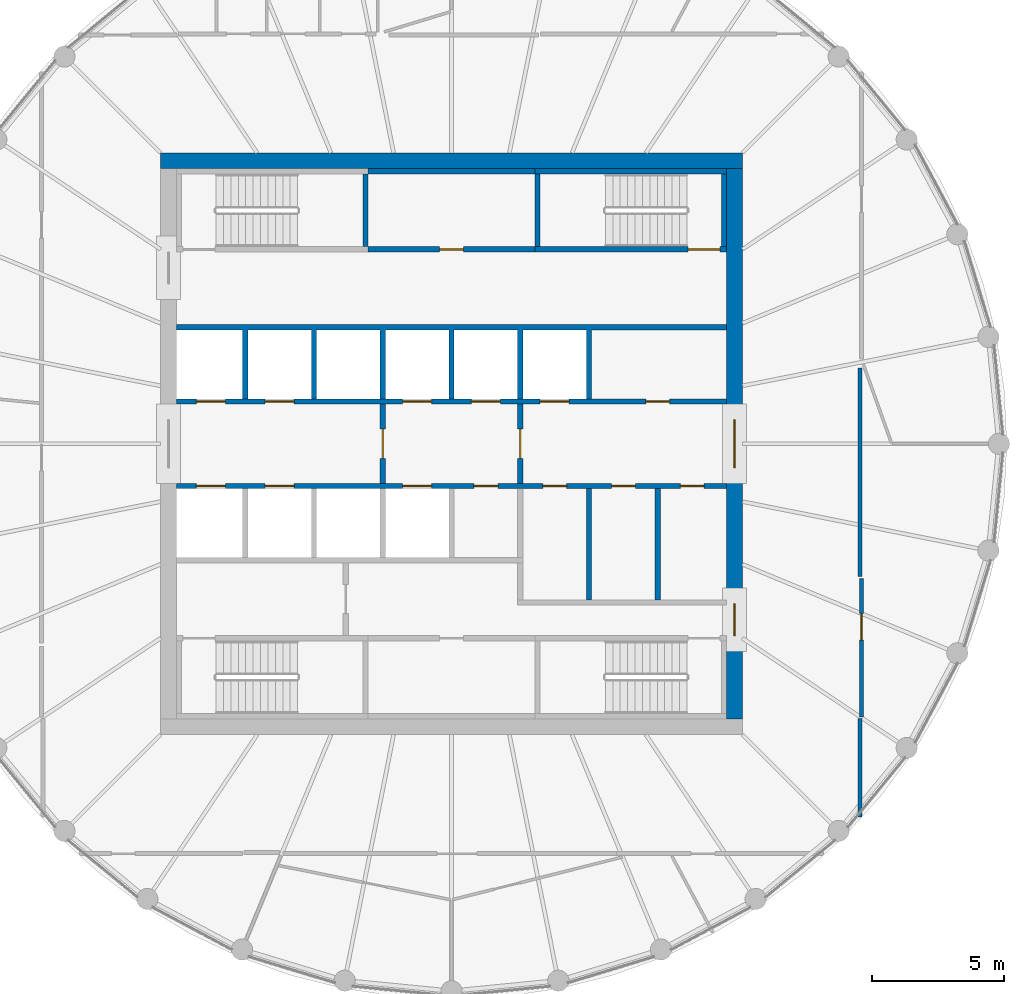
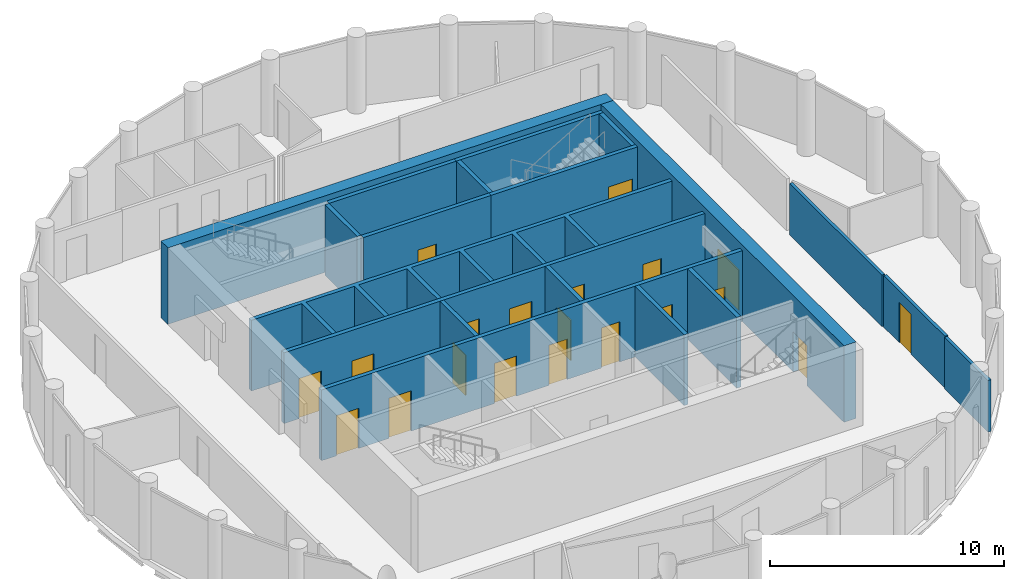
# One storey, part 5 of 7: 20 doors, 19 walls, 20 openings.
"""IFC4 building model written with IfcOpenShell, lengths in metres."""

from ifc_helpers import new_model, si_unit, direction, frame, frame_2d, origin, place, context, subcontext, project, spatial, polyline, rectangle, outline, extrude, material, layer, layer_set, type_object, element, fill, save


model = new_model("IFC4")

# Units and contexts
model_context = context("Model", 3, precision=1e-05, world=origin(), true_north=direction((0.0, 1.0)))
body_context = subcontext(model_context, "Body", "Model", "MODEL_VIEW")
ifc_project = project(units=[si_unit("LENGTHUNIT", "METRE"), si_unit("AREAUNIT", "SQUARE_METRE"), si_unit("VOLUMEUNIT", "CUBIC_METRE"), si_unit("PLANEANGLEUNIT", "RADIAN"), si_unit("MASSUNIT", "GRAM", prefix="KILO")], contexts=[model_context])

# Site, building, storey
site_placement = place(None, origin())
site = spatial("IfcSite", under=ifc_project, at=site_placement, CompositionType="ELEMENT")
building_placement = place(site_placement, origin())
building = spatial("IfcBuilding", under=site, at=building_placement, Name="Corvane Civic Tower", CompositionType="ELEMENT")
storey_placement = place(building_placement, frame((0.0, 0.0, 364.5)))
storey = spatial("IfcBuildingStorey", under=building, at=storey_placement, Name="L87", CompositionType="ELEMENT", Elevation=364.5)

# Wall
ifc_material_1 = material(Name="Concrete C40/50", Category="concrete")
ifc_layer_1 = layer(ifc_material_1, 0.60009765625)
ifc_layer_set_1 = layer_set([ifc_layer_1], Name="Concrete C40/50")
wall_type_1 = type_object("IfcWallType", Name="CORE WALL 600 C40/50", PredefinedType="SHEAR", material=ifc_layer_set_1)
wall_1_placement = place(storey_placement, frame((-11.0, 10.699951171875, 0.0), z_axis=(0.0, 0.0, 1.0), x_axis=(1.0, 0.0, 0.0)))
element("IfcWall", 1, at=wall_1_placement, inside=storey, type_object=wall_type_1, Name="W-L87-core-N", PredefinedType="SHEAR", context=body_context, shape_type="SweptSolid", body=[
    extrude(rectangle(XDim=22.0, YDim=0.60009765625, at=frame_2d((11.0, 0.0))), origin(), (0.0, 0.0, 1.0), 4.0),
])

# Wall, openings, doors
wall_2_placement = place(storey_placement, frame((10.699951171875, -10.39990234375, 0.0), z_axis=(0.0, 0.0, 1.0), x_axis=(0.0, 1.0, 0.0)))
wall_2 = element("IfcWall", 2, at=wall_2_placement, inside=storey, type_object=wall_type_1, Name="W-L87-core-E", PredefinedType="SHEAR", context=body_context, shape_type="SweptSolid", body=[
    extrude(rectangle(XDim=20.7998046875, YDim=0.60009765625, at=frame_2d((10.39990234375, 0.0))), origin(), (0.0, 0.0, 1.0), 4.0),
])
opening_1_placement = place(wall_2_placement, frame((9.5, 0.0, 0.0)))
opening_1 = element("IfcOpeningElement", 3, at=opening_1_placement, cuts=wall_2, Name="Opening L87.C16", PredefinedType="OPENING", context=body_context, shape_type="SweptSolid", body=[
    extrude(rectangle(XDim=1.800048828125, YDim=2.10009765625, at=frame_2d((0.89990234375, 1.050048828125))), frame((0.0, 0.31005859375, 0.0), z_axis=(0.0, -1.0, 0.0), x_axis=(1.0, 0.0, 0.0)), (0.0, 0.0, 1.0), 0.6201171875),
])
opening_2_placement = place(wall_2_placement, frame((3.14990234375, 0.0, 0.0)))
opening_2 = element("IfcOpeningElement", 4, at=opening_2_placement, cuts=wall_2, Name="Opening L87.C18", PredefinedType="OPENING", context=body_context, shape_type="SweptSolid", body=[
    extrude(rectangle(XDim=1.199951171875, YDim=2.10009765625, at=frame_2d((0.60009765625, 1.050048828125))), frame((0.0, 0.31005859375, 0.0), z_axis=(0.0, -1.0, 0.0), x_axis=(1.0, 0.0, 0.0)), (0.0, 0.0, 1.0), 0.6201171875),
])
ifc_material_2 = material(Name="Steel fire door leaf", Category="steel")
door_type_1 = type_object("IfcDoorType", Name="CR-DOOR-CORE-1800", OperationType="DOUBLE_DOOR_SINGLE_SWING", PredefinedType="DOOR", material=ifc_material_2)
door_1_placement = place(opening_1_placement, origin())
door_1 = element("IfcDoor", 5, at=door_1_placement, inside=storey, type_object=door_type_1, Name="L87 door", OperationType="DOUBLE_DOOR_SINGLE_SWING", OverallHeight=2.10009765625, OverallWidth=1.800048828125, PredefinedType="DOOR", context=body_context, shape_type="SweptSolid", body=[
    extrude(rectangle(XDim=1.800048828125, YDim=2.10009765625, at=frame_2d((0.89990234375, 1.050048828125))), frame((0.0, 0.02490234375, 0.0), z_axis=(0.0, -1.0, 0.0), x_axis=(1.0, 0.0, 0.0)), (0.0, 0.0, 1.0), 0.050048828125),
])
fill(opening_1, door_1)
door_2_placement = place(opening_2_placement, origin())
door_2 = element("IfcDoor", 6, at=door_2_placement, inside=storey, type_object=door_type_1, Name="L87 door", OperationType="DOUBLE_DOOR_SINGLE_SWING", OverallHeight=2.10009765625, OverallWidth=1.199951171875, PredefinedType="DOOR", context=body_context, shape_type="SweptSolid", body=[
    extrude(rectangle(XDim=1.199951171875, YDim=2.10009765625, at=frame_2d((0.60009765625, 1.050048828125))), frame((0.0, 0.02490234375, 0.0), z_axis=(0.0, -1.0, 0.0), x_axis=(1.0, 0.0, 0.0)), (0.0, 0.0, 1.0), 0.050048828125),
])
fill(opening_2, door_2)

ifc_material_3 = material(Name="Concrete C30/37", Category="concrete")
ifc_layer_2 = layer(ifc_material_3, 0.199951171875)
ifc_layer_set_2 = layer_set([ifc_layer_2], Name="Concrete C30/37")
wall_type_2 = type_object("IfcWallType", Name="CR-WALL-200", PredefinedType="PARTITIONING", material=ifc_layer_set_2)
wall_3_placement = place(storey_placement, frame((-10.39990234375, -1.60009765625, 0.0), z_axis=(0.0, 0.0, 1.0), x_axis=(1.0, 0.0, 0.0)))
wall_3 = element("IfcWall", 7, at=wall_3_placement, inside=storey, type_object=wall_type_2, Name="L87 lift shaft wall", PredefinedType="PARTITIONING", context=body_context, shape_type="SweptSolid", body=[
    extrude(rectangle(XDim=20.7998046875, YDim=0.199951171875, at=frame_2d((10.39990234375, 0.0))), origin(), (0.0, 0.0, 1.0), 3.699951171875),
])
opening_3_placement = place(wall_3_placement, frame((0.75, 0.0, 0.0)))
opening_3 = element("IfcOpeningElement", 8, at=opening_3_placement, cuts=wall_3, Name="Opening LD", PredefinedType="OPENING", context=body_context, shape_type="SweptSolid", body=[
    extrude(rectangle(XDim=1.10009765625, YDim=2.10009765625, at=frame_2d((0.550048828125, 1.050048828125))), frame((0.0, 0.10986328125, 0.0), z_axis=(0.0, -1.0, 0.0), x_axis=(1.0, 0.0, 0.0)), (0.0, 0.0, 1.0), 0.219970703125),
])
opening_4_placement = place(wall_3_placement, frame((3.35009765625, 0.0, 0.0)))
opening_4 = element("IfcOpeningElement", 9, at=opening_4_placement, cuts=wall_3, Name="Opening LD", PredefinedType="OPENING", context=body_context, shape_type="SweptSolid", body=[
    extrude(rectangle(XDim=1.10009765625, YDim=2.10009765625, at=frame_2d((0.550048828125, 1.050048828125))), frame((0.0, 0.10986328125, 0.0), z_axis=(0.0, -1.0, 0.0), x_axis=(1.0, 0.0, 0.0)), (0.0, 0.0, 1.0), 0.219970703125),
])
opening_5_placement = place(wall_3_placement, frame((8.550048828125, 0.0, 0.0)))
opening_5 = element("IfcOpeningElement", 10, at=opening_5_placement, cuts=wall_3, Name="Opening LD", PredefinedType="OPENING", context=body_context, shape_type="SweptSolid", body=[
    extrude(rectangle(XDim=1.10009765625, YDim=2.10009765625, at=frame_2d((0.550048828125, 1.050048828125))), frame((0.0, 0.10986328125, 0.0), z_axis=(0.0, -1.0, 0.0), x_axis=(1.0, 0.0, 0.0)), (0.0, 0.0, 1.0), 0.219970703125),
])
opening_6_placement = place(wall_3_placement, frame((11.25, 0.0, 0.0)))
opening_6 = element("IfcOpeningElement", 11, at=opening_6_placement, cuts=wall_3, Name="Opening L87.C02", PredefinedType="OPENING", context=body_context, shape_type="SweptSolid", body=[
    extrude(rectangle(XDim=0.89990234375, YDim=2.10009765625, at=frame_2d((0.449951171875, 1.050048828125))), frame((0.0, 0.10986328125, 0.0), z_axis=(0.0, -1.0, 0.0), x_axis=(1.0, 0.0, 0.0)), (0.0, 0.0, 1.0), 0.219970703125),
])
opening_7_placement = place(wall_3_placement, frame((13.85009765625, 0.0, 0.0)))
opening_7 = element("IfcOpeningElement", 12, at=opening_7_placement, cuts=wall_3, Name="Opening L87.C03", PredefinedType="OPENING", context=body_context, shape_type="SweptSolid", body=[
    extrude(rectangle(XDim=0.89990234375, YDim=2.10009765625, at=frame_2d((0.449951171875, 1.050048828125))), frame((0.0, 0.10986328125, 0.0), z_axis=(0.0, -1.0, 0.0), x_axis=(1.0, 0.0, 0.0)), (0.0, 0.0, 1.0), 0.219970703125),
])
opening_8_placement = place(wall_3_placement, frame((16.449951171875, 0.0, 0.0)))
opening_8 = element("IfcOpeningElement", 13, at=opening_8_placement, cuts=wall_3, Name="Opening L87.C04", PredefinedType="OPENING", context=body_context, shape_type="SweptSolid", body=[
    extrude(rectangle(XDim=0.89990234375, YDim=2.10009765625, at=frame_2d((0.449951171875, 1.050048828125))), frame((0.0, 0.10986328125, 0.0), z_axis=(0.0, -1.0, 0.0), x_axis=(1.0, 0.0, 0.0)), (0.0, 0.0, 1.0), 0.219970703125),
])
opening_9_placement = place(wall_3_placement, frame((19.050048828125, 0.0, 0.0)))
opening_9 = element("IfcOpeningElement", 14, at=opening_9_placement, cuts=wall_3, Name="Opening L87.C05", PredefinedType="OPENING", context=body_context, shape_type="SweptSolid", body=[
    extrude(rectangle(XDim=0.89990234375, YDim=2.10009765625, at=frame_2d((0.449951171875, 1.050048828125))), frame((0.0, 0.10986328125, 0.0), z_axis=(0.0, -1.0, 0.0), x_axis=(1.0, 0.0, 0.0)), (0.0, 0.0, 1.0), 0.219970703125),
])
ifc_material_4 = material(Name="Steel fire door leaf", Category="steel")
door_type_2 = type_object("IfcDoorType", Name="CR-DOOR-900", OperationType="SINGLE_SWING_LEFT", PredefinedType="DOOR", material=ifc_material_4)
door_3_placement = place(opening_6_placement, origin())
door_3 = element("IfcDoor", 15, at=door_3_placement, inside=storey, type_object=door_type_2, Name="L87 door", OperationType="SINGLE_SWING_LEFT", OverallHeight=2.10009765625, OverallWidth=0.89990234375, PredefinedType="DOOR", context=body_context, shape_type="SweptSolid", body=[
    extrude(rectangle(XDim=0.89990234375, YDim=2.10009765625, at=frame_2d((0.449951171875, 1.050048828125))), frame((0.0, 0.02490234375, 0.0), z_axis=(0.0, -1.0, 0.0), x_axis=(1.0, 0.0, 0.0)), (0.0, 0.0, 1.0), 0.050048828125),
])
fill(opening_6, door_3)
door_4_placement = place(opening_7_placement, origin())
door_4 = element("IfcDoor", 16, at=door_4_placement, inside=storey, type_object=door_type_2, Name="L87 door", OperationType="SINGLE_SWING_LEFT", OverallHeight=2.10009765625, OverallWidth=0.89990234375, PredefinedType="DOOR", context=body_context, shape_type="SweptSolid", body=[
    extrude(rectangle(XDim=0.89990234375, YDim=2.10009765625, at=frame_2d((0.449951171875, 1.050048828125))), frame((0.0, 0.02490234375, 0.0), z_axis=(0.0, -1.0, 0.0), x_axis=(1.0, 0.0, 0.0)), (0.0, 0.0, 1.0), 0.050048828125),
])
fill(opening_7, door_4)
door_5_placement = place(opening_8_placement, origin())
door_5 = element("IfcDoor", 17, at=door_5_placement, inside=storey, type_object=door_type_2, Name="L87 door", OperationType="SINGLE_SWING_LEFT", OverallHeight=2.10009765625, OverallWidth=0.89990234375, PredefinedType="DOOR", context=body_context, shape_type="SweptSolid", body=[
    extrude(rectangle(XDim=0.89990234375, YDim=2.10009765625, at=frame_2d((0.449951171875, 1.050048828125))), frame((0.0, 0.02490234375, 0.0), z_axis=(0.0, -1.0, 0.0), x_axis=(1.0, 0.0, 0.0)), (0.0, 0.0, 1.0), 0.050048828125),
])
fill(opening_8, door_5)
door_6_placement = place(opening_9_placement, origin())
door_6 = element("IfcDoor", 18, at=door_6_placement, inside=storey, type_object=door_type_2, Name="L87 door", OperationType="SINGLE_SWING_LEFT", OverallHeight=2.10009765625, OverallWidth=0.89990234375, PredefinedType="DOOR", context=body_context, shape_type="SweptSolid", body=[
    extrude(rectangle(XDim=0.89990234375, YDim=2.10009765625, at=frame_2d((0.449951171875, 1.050048828125))), frame((0.0, 0.02490234375, 0.0), z_axis=(0.0, -1.0, 0.0), x_axis=(1.0, 0.0, 0.0)), (0.0, 0.0, 1.0), 0.050048828125),
])
fill(opening_9, door_6)
ifc_material_5 = material(Name="Stainless steel 316 door leaves", Category="steel")
door_type_3 = type_object("IfcDoorType", Name="LD", OperationType="DOUBLE_DOOR_SLIDING", PredefinedType="DOOR", material=ifc_material_5)
door_7_placement = place(opening_3_placement, origin())
door_7 = element("IfcDoor", 19, at=door_7_placement, inside=storey, type_object=door_type_3, Name="L87 landing door", OperationType="DOUBLE_DOOR_SLIDING", OverallHeight=2.10009765625, OverallWidth=1.10009765625, PredefinedType="DOOR", context=body_context, shape_type="SweptSolid", body=[
    extrude(rectangle(XDim=1.10009765625, YDim=2.10009765625, at=frame_2d((0.550048828125, 1.050048828125))), frame((0.0, 0.02490234375, 0.0), z_axis=(0.0, -1.0, 0.0), x_axis=(1.0, 0.0, 0.0)), (0.0, 0.0, 1.0), 0.050048828125),
])
fill(opening_3, door_7)
door_8_placement = place(opening_4_placement, origin())
door_8 = element("IfcDoor", 20, at=door_8_placement, inside=storey, type_object=door_type_3, Name="L87 landing door", OperationType="DOUBLE_DOOR_SLIDING", OverallHeight=2.10009765625, OverallWidth=1.10009765625, PredefinedType="DOOR", context=body_context, shape_type="SweptSolid", body=[
    extrude(rectangle(XDim=1.10009765625, YDim=2.10009765625, at=frame_2d((0.550048828125, 1.050048828125))), frame((0.0, 0.02490234375, 0.0), z_axis=(0.0, -1.0, 0.0), x_axis=(1.0, 0.0, 0.0)), (0.0, 0.0, 1.0), 0.050048828125),
])
fill(opening_4, door_8)
door_9_placement = place(opening_5_placement, origin())
door_9 = element("IfcDoor", 21, at=door_9_placement, inside=storey, type_object=door_type_3, Name="L87 landing door", OperationType="DOUBLE_DOOR_SLIDING", OverallHeight=2.10009765625, OverallWidth=1.10009765625, PredefinedType="DOOR", context=body_context, shape_type="SweptSolid", body=[
    extrude(rectangle(XDim=1.10009765625, YDim=2.10009765625, at=frame_2d((0.550048828125, 1.050048828125))), frame((0.0, 0.02490234375, 0.0), z_axis=(0.0, -1.0, 0.0), x_axis=(1.0, 0.0, 0.0)), (0.0, 0.0, 1.0), 0.050048828125),
])
fill(opening_5, door_9)

wall_4_placement = place(storey_placement, frame((-10.39990234375, 1.60009765625, 0.0), z_axis=(0.0, 0.0, 1.0), x_axis=(1.0, 0.0, 0.0)))
wall_4 = element("IfcWall", 22, at=wall_4_placement, inside=storey, type_object=wall_type_2, Name="L87 lift shaft wall", PredefinedType="PARTITIONING", context=body_context, shape_type="SweptSolid", body=[
    extrude(rectangle(XDim=20.7998046875, YDim=0.199951171875, at=frame_2d((10.39990234375, 0.0))), origin(), (0.0, 0.0, 1.0), 3.699951171875),
])
opening_10_placement = place(wall_4_placement, frame((0.75, 0.0, 0.0)))
opening_10 = element("IfcOpeningElement", 23, at=opening_10_placement, cuts=wall_4, Name="Opening LD", PredefinedType="OPENING", context=body_context, shape_type="SweptSolid", body=[
    extrude(rectangle(XDim=1.10009765625, YDim=2.10009765625, at=frame_2d((0.550048828125, 1.050048828125))), frame((0.0, 0.10986328125, 0.0), z_axis=(0.0, -1.0, 0.0), x_axis=(1.0, 0.0, 0.0)), (0.0, 0.0, 1.0), 0.219970703125),
])
opening_11_placement = place(wall_4_placement, frame((3.35009765625, 0.0, 0.0)))
opening_11 = element("IfcOpeningElement", 24, at=opening_11_placement, cuts=wall_4, Name="Opening LD", PredefinedType="OPENING", context=body_context, shape_type="SweptSolid", body=[
    extrude(rectangle(XDim=1.10009765625, YDim=2.10009765625, at=frame_2d((0.550048828125, 1.050048828125))), frame((0.0, 0.10986328125, 0.0), z_axis=(0.0, -1.0, 0.0), x_axis=(1.0, 0.0, 0.0)), (0.0, 0.0, 1.0), 0.219970703125),
])
opening_12_placement = place(wall_4_placement, frame((8.550048828125, 0.0, 0.0)))
opening_12 = element("IfcOpeningElement", 25, at=opening_12_placement, cuts=wall_4, Name="Opening LD", PredefinedType="OPENING", context=body_context, shape_type="SweptSolid", body=[
    extrude(rectangle(XDim=1.10009765625, YDim=2.10009765625, at=frame_2d((0.550048828125, 1.050048828125))), frame((0.0, 0.10986328125, 0.0), z_axis=(0.0, -1.0, 0.0), x_axis=(1.0, 0.0, 0.0)), (0.0, 0.0, 1.0), 0.219970703125),
])
opening_13_placement = place(wall_4_placement, frame((11.14990234375, 0.0, 0.0)))
opening_13 = element("IfcOpeningElement", 26, at=opening_13_placement, cuts=wall_4, Name="Opening LD", PredefinedType="OPENING", context=body_context, shape_type="SweptSolid", body=[
    extrude(rectangle(XDim=1.10009765625, YDim=2.10009765625, at=frame_2d((0.550048828125, 1.050048828125))), frame((0.0, 0.10986328125, 0.0), z_axis=(0.0, -1.0, 0.0), x_axis=(1.0, 0.0, 0.0)), (0.0, 0.0, 1.0), 0.219970703125),
])
opening_14_placement = place(wall_4_placement, frame((13.75, 0.0, 0.0)))
opening_14 = element("IfcOpeningElement", 27, at=opening_14_placement, cuts=wall_4, Name="Opening LD", PredefinedType="OPENING", context=body_context, shape_type="SweptSolid", body=[
    extrude(rectangle(XDim=1.10009765625, YDim=2.10009765625, at=frame_2d((0.550048828125, 1.050048828125))), frame((0.0, 0.10986328125, 0.0), z_axis=(0.0, -1.0, 0.0), x_axis=(1.0, 0.0, 0.0)), (0.0, 0.0, 1.0), 0.219970703125),
])
opening_15_placement = place(wall_4_placement, frame((17.75, 0.0, 0.0)))
opening_15 = element("IfcOpeningElement", 28, at=opening_15_placement, cuts=wall_4, Name="Opening L87.C01", PredefinedType="OPENING", context=body_context, shape_type="SweptSolid", body=[
    extrude(rectangle(XDim=0.89990234375, YDim=2.10009765625, at=frame_2d((0.449951171875, 1.050048828125))), frame((0.0, 0.10986328125, 0.0), z_axis=(0.0, -1.0, 0.0), x_axis=(1.0, 0.0, 0.0)), (0.0, 0.0, 1.0), 0.219970703125),
])
door_10_placement = place(opening_15_placement, origin())
door_10 = element("IfcDoor", 29, at=door_10_placement, inside=storey, type_object=door_type_2, Name="L87 door", OperationType="SINGLE_SWING_LEFT", OverallHeight=2.10009765625, OverallWidth=0.89990234375, PredefinedType="DOOR", context=body_context, shape_type="SweptSolid", body=[
    extrude(rectangle(XDim=0.89990234375, YDim=2.10009765625, at=frame_2d((0.449951171875, 1.050048828125))), frame((0.0, 0.02490234375, 0.0), z_axis=(0.0, -1.0, 0.0), x_axis=(1.0, 0.0, 0.0)), (0.0, 0.0, 1.0), 0.050048828125),
])
fill(opening_15, door_10)
door_11_placement = place(opening_10_placement, origin())
door_11 = element("IfcDoor", 30, at=door_11_placement, inside=storey, type_object=door_type_3, Name="L87 landing door", OperationType="DOUBLE_DOOR_SLIDING", OverallHeight=2.10009765625, OverallWidth=1.10009765625, PredefinedType="DOOR", context=body_context, shape_type="SweptSolid", body=[
    extrude(rectangle(XDim=1.10009765625, YDim=2.10009765625, at=frame_2d((0.550048828125, 1.050048828125))), frame((0.0, 0.02490234375, 0.0), z_axis=(0.0, -1.0, 0.0), x_axis=(1.0, 0.0, 0.0)), (0.0, 0.0, 1.0), 0.050048828125),
])
fill(opening_10, door_11)
door_12_placement = place(opening_11_placement, origin())
door_12 = element("IfcDoor", 31, at=door_12_placement, inside=storey, type_object=door_type_3, Name="L87 landing door", OperationType="DOUBLE_DOOR_SLIDING", OverallHeight=2.10009765625, OverallWidth=1.10009765625, PredefinedType="DOOR", context=body_context, shape_type="SweptSolid", body=[
    extrude(rectangle(XDim=1.10009765625, YDim=2.10009765625, at=frame_2d((0.550048828125, 1.050048828125))), frame((0.0, 0.02490234375, 0.0), z_axis=(0.0, -1.0, 0.0), x_axis=(1.0, 0.0, 0.0)), (0.0, 0.0, 1.0), 0.050048828125),
])
fill(opening_11, door_12)
door_13_placement = place(opening_12_placement, origin())
door_13 = element("IfcDoor", 32, at=door_13_placement, inside=storey, type_object=door_type_3, Name="L87 landing door", OperationType="DOUBLE_DOOR_SLIDING", OverallHeight=2.10009765625, OverallWidth=1.10009765625, PredefinedType="DOOR", context=body_context, shape_type="SweptSolid", body=[
    extrude(rectangle(XDim=1.10009765625, YDim=2.10009765625, at=frame_2d((0.550048828125, 1.050048828125))), frame((0.0, 0.02490234375, 0.0), z_axis=(0.0, -1.0, 0.0), x_axis=(1.0, 0.0, 0.0)), (0.0, 0.0, 1.0), 0.050048828125),
])
fill(opening_12, door_13)
door_14_placement = place(opening_13_placement, origin())
door_14 = element("IfcDoor", 33, at=door_14_placement, inside=storey, type_object=door_type_3, Name="L87 landing door", OperationType="DOUBLE_DOOR_SLIDING", OverallHeight=2.10009765625, OverallWidth=1.10009765625, PredefinedType="DOOR", context=body_context, shape_type="SweptSolid", body=[
    extrude(rectangle(XDim=1.10009765625, YDim=2.10009765625, at=frame_2d((0.550048828125, 1.050048828125))), frame((0.0, 0.02490234375, 0.0), z_axis=(0.0, -1.0, 0.0), x_axis=(1.0, 0.0, 0.0)), (0.0, 0.0, 1.0), 0.050048828125),
])
fill(opening_13, door_14)
door_15_placement = place(opening_14_placement, origin())
door_15 = element("IfcDoor", 34, at=door_15_placement, inside=storey, type_object=door_type_3, Name="L87 landing door", OperationType="DOUBLE_DOOR_SLIDING", OverallHeight=2.10009765625, OverallWidth=1.10009765625, PredefinedType="DOOR", context=body_context, shape_type="SweptSolid", body=[
    extrude(rectangle(XDim=1.10009765625, YDim=2.10009765625, at=frame_2d((0.550048828125, 1.050048828125))), frame((0.0, 0.02490234375, 0.0), z_axis=(0.0, -1.0, 0.0), x_axis=(1.0, 0.0, 0.0)), (0.0, 0.0, 1.0), 0.050048828125),
])
fill(opening_14, door_15)

# Wall, opening, door
wall_5_placement = place(storey_placement, frame((-3.14990234375, 7.35009765625, 0.0), z_axis=(0.0, 0.0, 1.0), x_axis=(1.0, 0.0, 0.0)))
wall_5 = element("IfcWall", 35, at=wall_5_placement, inside=storey, type_object=wall_type_2, Name="L87 core partition wall", PredefinedType="PARTITIONING", context=body_context, shape_type="SweptSolid", body=[
    extrude(rectangle(XDim=6.2998046875, YDim=0.199951171875, at=frame_2d((3.14990234375, 0.0))), origin(), (0.0, 0.0, 1.0), 3.699951171875),
])
opening_16_placement = place(wall_5_placement, frame((2.699951171875, 0.0, 0.0)))
opening_16 = element("IfcOpeningElement", 36, at=opening_16_placement, cuts=wall_5, Name="Opening L87.C06", PredefinedType="OPENING", context=body_context, shape_type="SweptSolid", body=[
    extrude(rectangle(XDim=0.89990234375, YDim=2.10009765625, at=frame_2d((0.449951171875, 1.050048828125))), frame((0.0, 0.10986328125, 0.0), z_axis=(0.0, -1.0, 0.0), x_axis=(1.0, 0.0, 0.0)), (0.0, 0.0, 1.0), 0.219970703125),
])
door_16_placement = place(opening_16_placement, origin())
door_16 = element("IfcDoor", 37, at=door_16_placement, inside=storey, type_object=door_type_2, Name="L87 door", OperationType="SINGLE_SWING_LEFT", OverallHeight=2.10009765625, OverallWidth=0.89990234375, PredefinedType="DOOR", context=body_context, shape_type="SweptSolid", body=[
    extrude(rectangle(XDim=0.89990234375, YDim=2.10009765625, at=frame_2d((0.449951171875, 1.050048828125))), frame((0.0, 0.02490234375, 0.0), z_axis=(0.0, -1.0, 0.0), x_axis=(1.0, 0.0, 0.0)), (0.0, 0.0, 1.0), 0.050048828125),
])
fill(opening_16, door_16)

wall_6_placement = place(storey_placement, frame((-2.60009765625, -1.5, 0.0), z_axis=(0.0, 0.0, 1.0), x_axis=(0.0, 1.0, 0.0)))
wall_6 = element("IfcWall", 38, at=wall_6_placement, inside=storey, type_object=wall_type_2, Name="L87 firefighting lobby wall", PredefinedType="PARTITIONING", context=body_context, shape_type="SweptSolid", body=[
    extrude(rectangle(XDim=3.0, YDim=0.199951171875, at=frame_2d((1.5, 0.0))), origin(), (0.0, 0.0, 1.0), 3.699951171875),
])
opening_17_placement = place(wall_6_placement, frame((0.949951171875, 0.0, 0.0)))
opening_17 = element("IfcOpeningElement", 39, at=opening_17_placement, cuts=wall_6, Name="Opening L87.C12", PredefinedType="OPENING", context=body_context, shape_type="SweptSolid", body=[
    extrude(rectangle(XDim=1.10009765625, YDim=2.10009765625, at=frame_2d((0.550048828125, 1.050048828125))), frame((0.0, 0.10986328125, 0.0), z_axis=(0.0, -1.0, 0.0), x_axis=(1.0, 0.0, 0.0)), (0.0, 0.0, 1.0), 0.219970703125),
])
ifc_material_6 = material(Name="Steel fire door leaf", Category="steel")
door_type_4 = type_object("IfcDoorType", Name="CR-DOOR-FFL-1100", OperationType="SINGLE_SWING_LEFT", PredefinedType="DOOR", material=ifc_material_6)
door_17_placement = place(opening_17_placement, origin())
door_17 = element("IfcDoor", 40, at=door_17_placement, inside=storey, type_object=door_type_4, Name="L87 lobby door", OperationType="SINGLE_SWING_LEFT", OverallHeight=2.10009765625, OverallWidth=1.10009765625, PredefinedType="DOOR", context=body_context, shape_type="SweptSolid", body=[
    extrude(rectangle(XDim=1.10009765625, YDim=2.10009765625, at=frame_2d((0.550048828125, 1.050048828125))), frame((0.0, 0.02490234375, 0.0), z_axis=(0.0, -1.0, 0.0), x_axis=(1.0, 0.0, 0.0)), (0.0, 0.0, 1.0), 0.050048828125),
])
fill(opening_17, door_17)

wall_7_placement = place(storey_placement, frame((2.60009765625, -1.5, 0.0), z_axis=(0.0, 0.0, 1.0), x_axis=(0.0, 1.0, 0.0)))
wall_7 = element("IfcWall", 41, at=wall_7_placement, inside=storey, type_object=wall_type_2, Name="L87 firefighting lobby wall", PredefinedType="PARTITIONING", context=body_context, shape_type="SweptSolid", body=[
    extrude(rectangle(XDim=3.0, YDim=0.199951171875, at=frame_2d((1.5, 0.0))), origin(), (0.0, 0.0, 1.0), 3.699951171875),
])
opening_18_placement = place(wall_7_placement, frame((0.949951171875, 0.0, 0.0)))
opening_18 = element("IfcOpeningElement", 42, at=opening_18_placement, cuts=wall_7, Name="Opening L87.C13", PredefinedType="OPENING", context=body_context, shape_type="SweptSolid", body=[
    extrude(rectangle(XDim=1.10009765625, YDim=2.10009765625, at=frame_2d((0.550048828125, 1.050048828125))), frame((0.0, 0.10986328125, 0.0), z_axis=(0.0, -1.0, 0.0), x_axis=(1.0, 0.0, 0.0)), (0.0, 0.0, 1.0), 0.219970703125),
])
door_18_placement = place(opening_18_placement, origin())
door_18 = element("IfcDoor", 43, at=door_18_placement, inside=storey, type_object=door_type_4, Name="L87 lobby door", OperationType="SINGLE_SWING_LEFT", OverallHeight=2.10009765625, OverallWidth=1.10009765625, PredefinedType="DOOR", context=body_context, shape_type="SweptSolid", body=[
    extrude(rectangle(XDim=1.10009765625, YDim=2.10009765625, at=frame_2d((0.550048828125, 1.050048828125))), frame((0.0, 0.02490234375, 0.0), z_axis=(0.0, -1.0, 0.0), x_axis=(1.0, 0.0, 0.0)), (0.0, 0.0, 1.0), 0.050048828125),
])
fill(opening_18, door_18)

# Walls
wall_8_placement = place(storey_placement, origin())
element("IfcWall", 44, at=wall_8_placement, inside=storey, type_object=wall_type_2, Name="L87 core partition wall", PredefinedType="PARTITIONING", context=body_context, shape_type="SweptSolid", body=[
    extrude(outline(polyline([(5.300048828125, -1.699951171875), (5.300048828125, -5.89990234375), (5.10009765625, -5.89990234375), (5.10009765625, -1.699951171875), (5.300048828125, -1.699951171875)])), origin(), (0.0, 0.0, 1.0), 3.699951171875),
])
wall_9_placement = place(storey_placement, origin())
element("IfcWall", 45, at=wall_9_placement, inside=storey, type_object=wall_type_2, Name="L87 core partition wall", PredefinedType="PARTITIONING", context=body_context, shape_type="SweptSolid", body=[
    extrude(outline(polyline([(7.89990234375, -1.699951171875), (7.89990234375, -5.89990234375), (7.699951171875, -5.89990234375), (7.699951171875, -1.699951171875), (7.89990234375, -1.699951171875)])), origin(), (0.0, 0.0, 1.0), 3.699951171875),
])
wall_10_placement = place(storey_placement, origin())
element("IfcWall", 46, at=wall_10_placement, inside=storey, type_object=wall_type_2, Name="L87 core partition wall", PredefinedType="PARTITIONING", context=body_context, shape_type="SweptSolid", body=[
    extrude(outline(polyline([(-7.699951171875, 1.699951171875), (-7.89990234375, 1.699951171875), (-7.89990234375, 4.300048828125), (-10.39990234375, 4.300048828125), (-10.39990234375, 4.5), (10.39990234375, 4.5), (10.39990234375, 4.300048828125), (5.300048828125, 4.300048828125), (5.300048828125, 1.699951171875), (5.10009765625, 1.699951171875), (5.10009765625, 4.300048828125), (2.699951171875, 4.300048828125), (2.699951171875, 1.699951171875), (2.5, 1.699951171875), (2.5, 4.300048828125), (0.10009765625, 4.300048828125), (0.10009765625, 1.699951171875), (-0.10009765625, 1.699951171875), (-0.10009765625, 4.300048828125), (-2.5, 4.300048828125), (-2.5, 1.699951171875), (-2.699951171875, 1.699951171875), (-2.699951171875, 4.300048828125), (-5.10009765625, 4.300048828125), (-5.10009765625, 1.699951171875), (-5.300048828125, 1.699951171875), (-5.300048828125, 4.300048828125), (-7.699951171875, 4.300048828125), (-7.699951171875, 1.699951171875)])), origin(), (0.0, 0.0, 1.0), 3.699951171875),
])
wall_11_placement = place(storey_placement, origin())
element("IfcWall", 47, at=wall_11_placement, inside=storey, type_object=wall_type_2, Name="L87 core partition wall", PredefinedType="PARTITIONING", context=body_context, shape_type="SweptSolid", body=[
    extrude(outline(polyline([(3.14990234375, 10.199951171875), (-3.14990234375, 10.199951171875), (-3.14990234375, 10.39990234375), (3.14990234375, 10.39990234375), (3.14990234375, 10.199951171875)])), origin(), (0.0, 0.0, 1.0), 3.699951171875),
])

# Wall, opening, door
ifc_material_7 = material(Name="Concrete C50/60", Category="concrete")
ifc_layer_3 = layer(ifc_material_7, 0.199951171875)
ifc_layer_set_3 = layer_set([ifc_layer_3], Name="Concrete C50/60")
wall_type_3 = type_object("IfcWallType", Name="ST-WALL-200", PredefinedType="SHEAR", material=ifc_layer_set_3)
wall_12_placement = place(storey_placement, frame((3.14990234375, 7.35009765625, 0.0), z_axis=(0.0, 0.0, 1.0), x_axis=(1.0, 0.0, 0.0)))
wall_12 = element("IfcWall", 48, at=wall_12_placement, inside=storey, type_object=wall_type_3, Name="L87 stair enclosure wall", PredefinedType="SHEAR", context=body_context, shape_type="SweptSolid", body=[
    extrude(rectangle(XDim=7.25, YDim=0.199951171875, at=frame_2d((3.625, 0.0))), origin(), (0.0, 0.0, 1.0), 3.699951171875),
])
opening_19_placement = place(wall_12_placement, frame((5.800048828125, 0.0, 0.0)))
opening_19 = element("IfcOpeningElement", 49, at=opening_19_placement, cuts=wall_12, Name="Opening L87.C08", PredefinedType="OPENING", context=body_context, shape_type="SweptSolid", body=[
    extrude(rectangle(XDim=1.199951171875, YDim=2.10009765625, at=frame_2d((0.60009765625, 1.050048828125))), frame((0.0, 0.10986328125, 0.0), z_axis=(0.0, -1.0, 0.0), x_axis=(1.0, 0.0, 0.0)), (0.0, 0.0, 1.0), 0.219970703125),
])
ifc_material_8 = material(Name="Steel fire door leaf", Category="steel")
door_type_5 = type_object("IfcDoorType", Name="ST-DOOR-1200", OperationType="SINGLE_SWING_RIGHT", PredefinedType="DOOR", material=ifc_material_8)
door_19_placement = place(opening_19_placement, origin())
door_19 = element("IfcDoor", 50, at=door_19_placement, inside=storey, type_object=door_type_5, Name="L87 stair door", OperationType="SINGLE_SWING_RIGHT", OverallHeight=2.10009765625, OverallWidth=1.199951171875, PredefinedType="DOOR", context=body_context, shape_type="SweptSolid", body=[
    extrude(rectangle(XDim=1.199951171875, YDim=2.10009765625, at=frame_2d((0.60009765625, 1.050048828125))), frame((0.0, 0.02490234375, 0.0), z_axis=(0.0, -1.0, 0.0), x_axis=(1.0, 0.0, 0.0)), (0.0, 0.0, 1.0), 0.050048828125),
])
fill(opening_19, door_19)

# Walls
wall_13_placement = place(storey_placement, origin())
element("IfcWall", 51, at=wall_13_placement, inside=storey, type_object=wall_type_3, Name="L87 stair enclosure wall", PredefinedType="SHEAR", context=body_context, shape_type="SweptSolid", body=[
    extrude(outline(polyline([(10.39990234375, 10.199951171875), (3.14990234375, 10.199951171875), (3.14990234375, 10.39990234375), (10.39990234375, 10.39990234375), (10.39990234375, 10.199951171875)])), origin(), (0.0, 0.0, 1.0), 3.699951171875),
])
wall_14_placement = place(storey_placement, origin())
element("IfcWall", 52, at=wall_14_placement, inside=storey, type_object=wall_type_3, Name="L87 stair enclosure wall", PredefinedType="SHEAR", context=body_context, shape_type="SweptSolid", body=[
    extrude(outline(polyline([(-3.14990234375, 7.449951171875), (-3.35009765625, 7.449951171875), (-3.35009765625, 10.199951171875), (-3.14990234375, 10.199951171875), (-3.14990234375, 7.449951171875)])), origin(), (0.0, 0.0, 1.0), 3.699951171875),
])
wall_15_placement = place(storey_placement, origin())
element("IfcWall", 53, at=wall_15_placement, inside=storey, type_object=wall_type_3, Name="L87 stair enclosure wall", PredefinedType="SHEAR", context=body_context, shape_type="SweptSolid", body=[
    extrude(outline(polyline([(3.35009765625, 7.449951171875), (3.14990234375, 7.449951171875), (3.14990234375, 10.199951171875), (3.35009765625, 10.199951171875), (3.35009765625, 7.449951171875)])), origin(), (0.0, 0.0, 1.0), 3.699951171875),
])
wall_16_placement = place(storey_placement, origin())
element("IfcWall", 54, at=wall_16_placement, inside=storey, type_object=wall_type_3, Name="L87 stair enclosure wall", PredefinedType="SHEAR", context=body_context, shape_type="SweptSolid", body=[
    extrude(outline(polyline([(10.39990234375, 7.449951171875), (10.199951171875, 7.449951171875), (10.199951171875, 10.199951171875), (10.39990234375, 10.199951171875), (10.39990234375, 7.449951171875)])), origin(), (0.0, 0.0, 1.0), 3.699951171875),
])
ifc_material_9 = material(Name="Plasterboard")
ifc_layer_4 = layer(ifc_material_9, 0.14990234375)
ifc_layer_set_4 = layer_set([ifc_layer_4], Name="Plasterboard")
wall_type_4 = type_object("IfcWallType", Name="Tenancy wall 150 EI 60", PredefinedType="PARTITIONING", material=ifc_layer_set_4)
wall_17_placement = place(storey_placement, frame((15.449951171875, -14.1123046875, 0.0), z_axis=(0.0, 0.0, 1.0), x_axis=(0.0, 1.0, 0.0)))
element("IfcWall", 55, at=wall_17_placement, inside=storey, type_object=wall_type_4, Name="Partition L87.011", PredefinedType="PARTITIONING", context=body_context, shape_type="SweptSolid", body=[
    extrude(rectangle(XDim=3.7314453125, YDim=0.14990234375, at=frame_2d((1.86572265625, 0.0))), origin(), (0.0, 0.0, 1.0), 2.699951171875),
])

# Wall, opening, door
wall_18_placement = place(storey_placement, frame((15.5, -10.330810546875, 0.0), z_axis=(0.0, 0.0, 1.0), x_axis=(0.0, 1.0, 0.0)))
wall_18 = element("IfcWall", 56, at=wall_18_placement, inside=storey, type_object=wall_type_4, Name="Partition L87.012", PredefinedType="PARTITIONING", context=body_context, shape_type="SweptSolid", body=[
    extrude(rectangle(XDim=5.23583984375, YDim=0.14990234375, at=frame_2d((2.617919921875, 0.0))), origin(), (0.0, 0.0, 1.0), 2.699951171875),
])
opening_20_placement = place(wall_18_placement, frame((2.904052734375, 0.0, 0.0)))
opening_20 = element("IfcOpeningElement", 57, at=opening_20_placement, cuts=wall_18, Name="Opening L87.011", PredefinedType="OPENING", context=body_context, shape_type="SweptSolid", body=[
    extrude(rectangle(XDim=1.0, YDim=2.10009765625, at=frame_2d((0.5, 1.050048828125))), frame((0.0, 0.0849609375, 0.0), z_axis=(0.0, -1.0, 0.0), x_axis=(1.0, 0.0, 0.0)), (0.0, 0.0, 1.0), 0.169921875),
])
ifc_material_10 = material(Name="Steel and timber", Category="steel")
door_type_6 = type_object("IfcDoorType", Name="Fire door FD30S 1000", OperationType="NOTDEFINED", PredefinedType="DOOR", material=ifc_material_10)
door_20_placement = place(opening_20_placement, frame((1.0, 0.0, 0.0), z_axis=(0.0, 0.0, 1.0), x_axis=(-1.0, 0.0, 0.0)))
door_20 = element("IfcDoor", 58, at=door_20_placement, inside=storey, type_object=door_type_6, Name="Door L87.011", OperationType="SINGLE_SWING_LEFT", OverallHeight=2.10009765625, OverallWidth=1.0, PredefinedType="DOOR", context=body_context, shape_type="SweptSolid", body=[
    extrude(rectangle(XDim=1.0, YDim=2.10009765625, at=frame_2d((0.5, 1.050048828125))), frame((0.0, 0.02490234375, 0.0), z_axis=(0.0, -1.0, 0.0), x_axis=(1.0, 0.0, 0.0)), (0.0, 0.0, 1.0), 0.050048828125),
])
fill(opening_20, door_20)

# Wall
wall_19_placement = place(storey_placement, frame((15.449951171875, -5.02587890625, 0.0), z_axis=(0.0, 0.0, 1.0), x_axis=(0.0, 1.0, 0.0)))
element("IfcWall", 59, at=wall_19_placement, inside=storey, type_object=wall_type_4, Name="Partition L87.015", PredefinedType="PARTITIONING", context=body_context, shape_type="SweptSolid", body=[
    extrude(rectangle(XDim=7.899169921875, YDim=0.14990234375, at=frame_2d((3.94970703125, 0.0))), origin(), (0.0, 0.0, 1.0), 2.699951171875),
])

save(model, "model.ifc")
